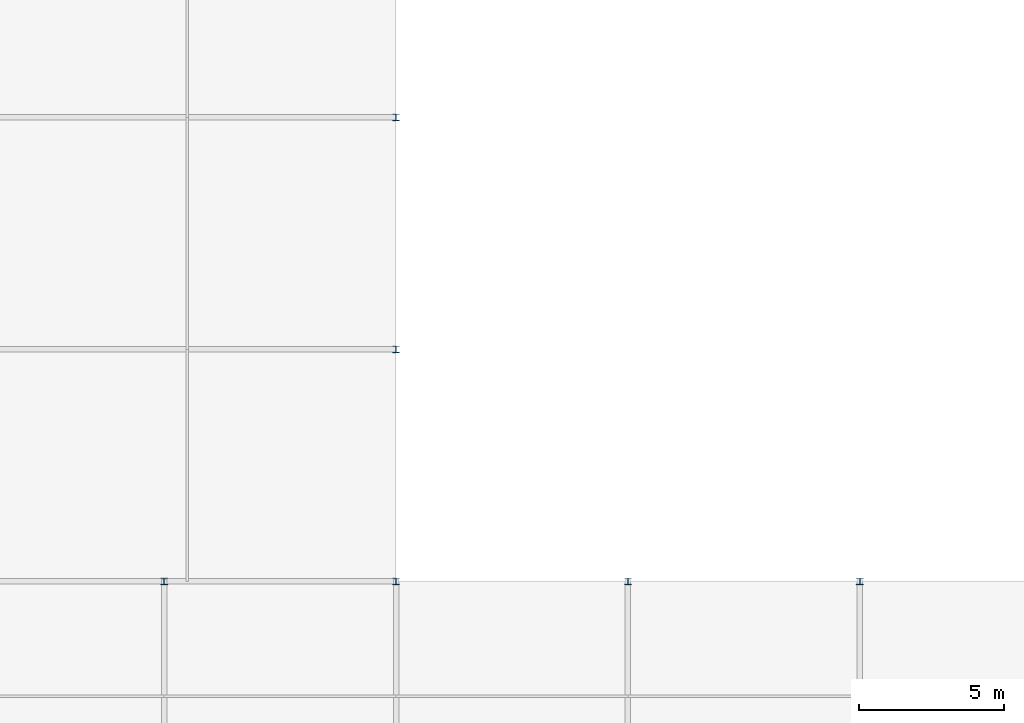
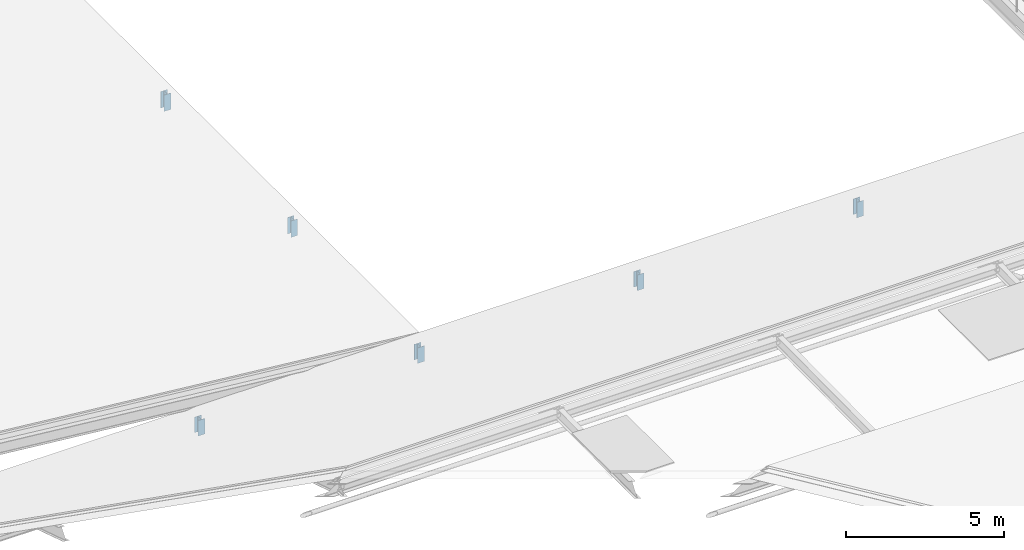
# One storey, part 27 of 54: 6 members.
"""IFC4 building model written with IfcOpenShell, lengths in metres."""

from ifc_helpers import new_model, si_unit, direction, frame, origin, origin_2d, place, context, subcontext, project, spatial, i_section, extrude, material, material_profile, profile_set, type_object, element, save


model = new_model("IFC4")

# Units and contexts
model_context = context("Model", 3, precision=1e-05, world=origin(), true_north=direction((0.0, 1.0)))
body_context = subcontext(model_context, "Body", "Model", "MODEL_VIEW")
ifc_project = project(units=[si_unit("LENGTHUNIT", "METRE"), si_unit("AREAUNIT", "SQUARE_METRE"), si_unit("VOLUMEUNIT", "CUBIC_METRE"), si_unit("PLANEANGLEUNIT", "RADIAN"), si_unit("MASSUNIT", "GRAM", prefix="KILO")], contexts=[model_context])

# Site, building, storey
site_placement = place(None, origin())
site = spatial("IfcSite", under=ifc_project, at=site_placement, CompositionType="ELEMENT")
building_placement = place(site_placement, origin())
building = spatial("IfcBuilding", under=site, at=building_placement, Name="Kenh Van Central Station", CompositionType="ELEMENT")
storey_placement = place(building_placement, frame((0.0, 0.0, 15.0)))
storey = spatial("IfcBuildingStorey", under=building, at=storey_placement, Name="L03", CompositionType="ELEMENT", Elevation=15.0)

# Members
ifc_material = material(Name="Steel S355", Category="steel")
ifc_material_profile = material_profile(ifc_material, i_section(OverallWidth=0.239990234375, OverallDepth=0.22998046875, WebThickness=0.007568359375, FlangeThickness=0.011962890625, FilletRadius=0.02099609375, at=origin_2d()), Name="HEA 240")
ifc_profile_set = profile_set([ifc_material_profile], Name="Steel S355")
member_type = type_object("IfcMemberType", Name="MEM-ROOF-POST240", PredefinedType="POST", material=ifc_profile_set)
for number, where, z_axis, x_axis, name in (
    (1, (88.0, 40.0, -0.949951171875), (0.0, 0.0, 1.0), (1.0, 0.0, 0.0), "L03 roof eave post 056"),
    (2, (96.0, 40.0, -0.949951171875), (0.0, 0.0, 1.0), (1.0, 0.0, 0.0), "L03 roof eave post 059"),
    (3, (104.0, 40.0, -0.949951171875), (0.0, 0.0, 1.0), (1.0, 0.0, 0.0), "L03 roof eave post 062"),
    (4, (112.0, 40.0, -0.949951171875), (0.0, 0.0, 1.0), (1.0, 0.0, 0.0), "L03 roof eave post 065"),
):
    element("IfcMember", number, at=place(storey_placement, frame(where, z_axis=z_axis, x_axis=x_axis)), inside=storey, type_object=member_type, Name=name, PredefinedType="POST", context=body_context, shape_type="SweptSolid", body=[
        extrude(i_section(OverallWidth=0.239990234375, OverallDepth=0.22998046875, WebThickness=0.007568359375, FlangeThickness=0.011962890625, FilletRadius=0.02099609375, at=origin_2d()), origin(), (0.0, 0.0, 1.0), 0.59814453125),
    ])
for number, where, z_axis, x_axis, name in (
    (5, (96.0, 48.0, -0.949951171875), (0.0, 0.0, 1.0), (1.0, 0.0, 0.0), "L03 roof eave post 076"),
    (6, (96.0, 56.0, -0.949951171875), (0.0, 0.0, 1.0), (1.0, 0.0, 0.0), "L03 roof eave post 078"),
):
    element("IfcMember", number, at=place(storey_placement, frame(where, z_axis=z_axis, x_axis=x_axis)), inside=storey, type_object=member_type, Name=name, PredefinedType="POST", context=body_context, shape_type="SweptSolid", body=[
        extrude(i_section(OverallWidth=0.239990234375, OverallDepth=0.22998046875, WebThickness=0.007568359375, FlangeThickness=0.011962890625, FilletRadius=0.02099609375, at=origin_2d()), origin(), (0.0, 0.0, 1.0), 0.6328125),
    ])

save(model, "model.ifc")
